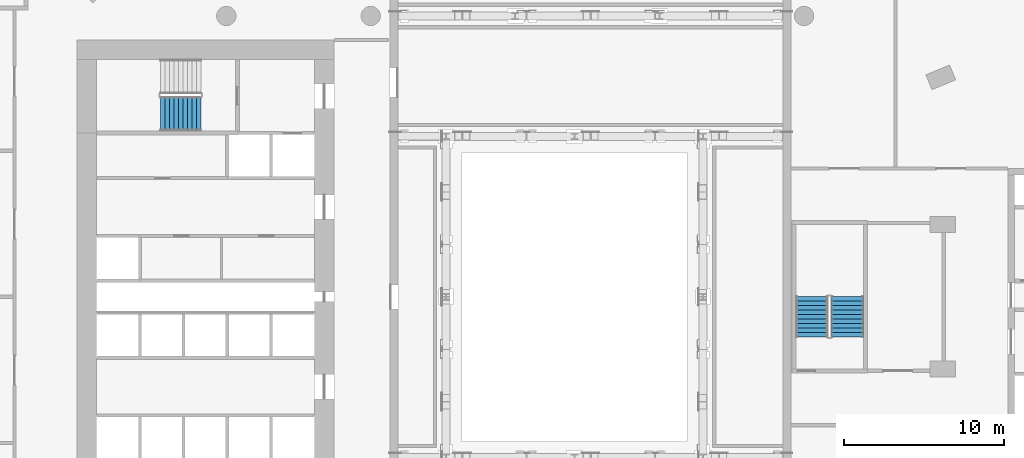
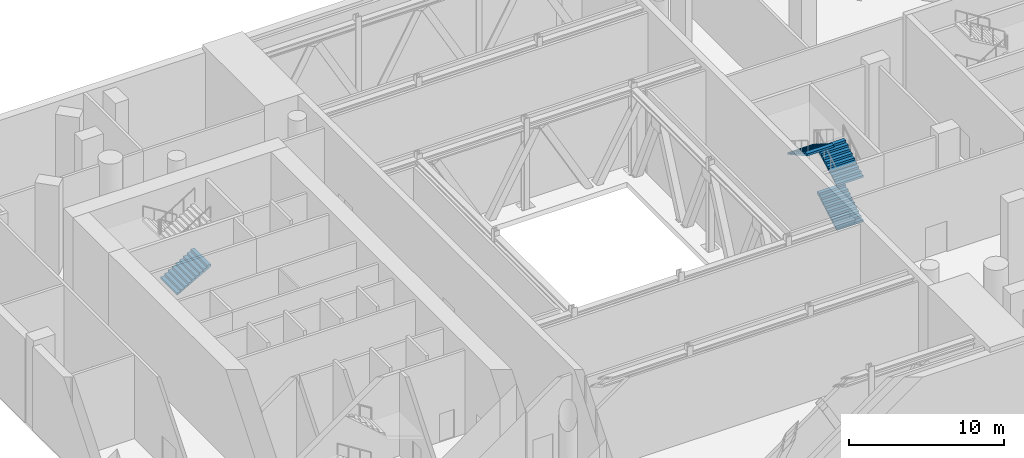
# One storey, part 13 of 21: 4 stair flights, 2 elements without a shape of their own.
"""IFC4 building model written with IfcOpenShell, lengths in metres."""

from ifc_helpers import new_model, si_unit, direction, frame, origin, place, context, subcontext, project, spatial, triangles, material, type_object, element, aggregate, save


model = new_model("IFC4")

# Units and contexts
model_context = context("Model", 3, precision=1e-05, world=origin(), true_north=direction((0.0, 1.0)))
body_context = subcontext(model_context, "Body", "Model", "MODEL_VIEW")
ifc_project = project(units=[si_unit("LENGTHUNIT", "METRE"), si_unit("AREAUNIT", "SQUARE_METRE"), si_unit("VOLUMEUNIT", "CUBIC_METRE"), si_unit("PLANEANGLEUNIT", "RADIAN"), si_unit("MASSUNIT", "GRAM", prefix="KILO")], contexts=[model_context])

# Site, building, storey
site_placement = place(None, origin())
site = spatial("IfcSite", under=ifc_project, at=site_placement, CompositionType="ELEMENT")
building_placement = place(site_placement, origin())
building = spatial("IfcBuilding", under=site, at=building_placement, Name="Cypress Arch Tower", CompositionType="ELEMENT")
storey_placement = place(building_placement, frame((0.0, 0.0, 29.0)))
storey = spatial("IfcBuildingStorey", under=building, at=storey_placement, Name="L03", CompositionType="ELEMENT", Elevation=29.0)

# Stair, stair flights
ifc_material_1 = material(Name="Concrete C40/50", Category="concrete")
stair_type_1 = type_object("IfcStairType", Name="Exit stair ES1750-200", PredefinedType="HALF_TURN_STAIR", material=ifc_material_1)
stair_1_placement = place(storey_placement, origin())
stair_1 = element("IfcStair", 1, at=stair_1_placement, inside=storey, type_object=stair_type_1, Name="L03 Exit stair C", PredefinedType="HALF_TURN_STAIR")
ifc_material_2 = material(Name="Concrete C40/50", Category="concrete")
stair_flight_type_1 = type_object("IfcStairFlightType", Name="Exit stair flight ES1750-200", PredefinedType="STRAIGHT", material=ifc_material_2)
stair_flight_1_placement = place(storey_placement, frame((18.0, -2.5, 0.0), z_axis=(0.0, 0.0, 1.0), x_axis=(0.0, 1.0, 0.0)))
stair_flight_1 = element("IfcStairFlight", 2, at=stair_flight_1_placement, type_object=stair_flight_type_1, Name="C flight 1", NumberOfRisers=10, NumberOfTreads=9, PredefinedType="STRAIGHT", RiserHeight=0.175, TreadLength=0.28, context=body_context, shape_type="Tessellation", body=[
    triangles([(0.0, -1.0, 0.0), (0.000244140625, -1.0, 0.034912109375), (0.00048828125, -1.0, 0.070068359375), (0.00048828125, -1.0, 0.10498046875), (0.000244140625, -1.0, 0.14013671875), (0.0, -1.0, 0.175048828125), (0.280029296875, -1.0, 0.175048828125), (0.280029296875, -1.0, 0.35009765625), (0.56005859375, -1.0, 0.35009765625), (0.56005859375, -1.0, 0.52490234375), (0.840087890625, -1.0, 0.52490234375), (0.840087890625, -1.0, 0.699951171875), (1.1201171875, -1.0, 0.699951171875), (1.1201171875, -1.0, 0.875), (1.39990234375, -1.0, 0.875), (1.39990234375, -1.0, 1.050048828125), (1.679931640625, -1.0, 1.050048828125), (1.679931640625, -1.0, 1.22509765625), (1.9599609375, -1.0, 1.22509765625), (1.9599609375, -1.0, 1.39990234375), (2.239990234375, -1.0, 1.39990234375), (2.239990234375, -1.0, 1.574951171875), (2.52001953125, -1.0, 1.574951171875), (2.519775390625, -1.0, 1.53955078125), (2.51953125, -1.0, 1.504150390625), (2.51953125, -1.0, 1.468994140625), (2.519775390625, -1.0, 1.43359375), (2.52001953125, -1.0, 1.398193359375), (2.52001953125, 1.0, 1.398193359375), (2.519775390625, 1.0, 1.43359375), (2.51953125, 1.0, 1.468994140625), (2.51953125, 1.0, 1.504150390625), (2.519775390625, 1.0, 1.53955078125), (2.52001953125, 1.0, 1.574951171875), (2.239990234375, 1.0, 1.574951171875), (2.239990234375, 1.0, 1.39990234375), (1.9599609375, 1.0, 1.39990234375), (1.9599609375, 1.0, 1.22509765625), (1.679931640625, 1.0, 1.22509765625), (1.679931640625, 1.0, 1.050048828125), (1.39990234375, 1.0, 1.050048828125), (1.39990234375, 1.0, 0.875), (1.1201171875, 1.0, 0.875), (1.1201171875, 1.0, 0.699951171875), (0.840087890625, 1.0, 0.699951171875), (0.840087890625, 1.0, 0.52490234375), (0.56005859375, 1.0, 0.52490234375), (0.56005859375, 1.0, 0.35009765625), (0.280029296875, 1.0, 0.35009765625), (0.280029296875, 1.0, 0.175048828125), (0.0, 1.0, 0.175048828125), (0.000244140625, 1.0, 0.14013671875), (0.00048828125, 1.0, 0.10498046875), (0.00048828125, 1.0, 0.070068359375), (0.000244140625, 1.0, 0.034912109375), (0.0, 1.0, 0.0), (2.519775390625, 0.0, 1.43359375), (2.52001953125, 0.0, 1.398193359375), (2.51953125, 0.0, 1.468994140625), (2.51953125, 0.0, 1.504150390625), (2.519775390625, 0.0, 1.53955078125), (2.52001953125, 0.0, 1.574951171875), (2.239990234375, 0.0, 1.574951171875), (2.239990234375, 0.0, 1.39990234375), (1.9599609375, 0.0, 1.39990234375), (1.9599609375, 0.0, 1.22509765625), (1.679931640625, 0.0, 1.22509765625), (1.679931640625, 0.0, 1.050048828125), (1.39990234375, 0.0, 1.050048828125), (1.39990234375, 0.0, 0.875), (1.1201171875, 0.0, 0.875), (1.1201171875, 0.0, 0.699951171875), (0.840087890625, 0.0, 0.699951171875), (0.840087890625, 0.0, 0.52490234375), (0.56005859375, 0.0, 0.52490234375), (0.56005859375, 0.0, 0.35009765625), (0.280029296875, 0.0, 0.35009765625), (0.280029296875, 0.0, 0.175048828125), (0.0, 0.0, 0.175048828125), (0.000244140625, 0.0, 0.14013671875), (0.00048828125, 0.0, 0.10498046875), (0.00048828125, 0.0, 0.070068359375), (0.000244140625, 0.0, 0.034912109375), (0.0, 0.0, 0.0)], [[28, 27, 22], [27, 26, 22], [26, 25, 22], [25, 24, 22], [24, 23, 22], [15, 14, 13], [19, 18, 17], [17, 16, 15], [13, 12, 11], [9, 8, 7], [6, 5, 7], [5, 4, 7], [4, 3, 7], [3, 2, 7], [2, 1, 7], [21, 20, 19], [11, 10, 9], [28, 22, 21], [28, 21, 19], [28, 19, 17], [28, 17, 15], [28, 15, 13], [28, 13, 11], [1, 28, 11], [11, 9, 7], [11, 7, 1], [29, 35, 30], [30, 35, 31], [31, 35, 32], [32, 35, 33], [33, 35, 34], [42, 44, 43], [38, 40, 39], [40, 42, 41], [44, 46, 45], [48, 50, 49], [51, 50, 52], [52, 50, 53], [53, 50, 54], [54, 50, 55], [55, 50, 56], [36, 38, 37], [46, 48, 47], [29, 36, 35], [29, 38, 36], [29, 40, 38], [29, 42, 40], [29, 44, 42], [29, 46, 44], [56, 46, 29], [46, 50, 48], [46, 56, 50], [58, 57, 27], [58, 27, 28], [29, 30, 57], [29, 57, 58], [57, 59, 26], [57, 26, 27], [30, 31, 59], [30, 59, 57], [59, 60, 25], [59, 25, 26], [31, 32, 60], [31, 60, 59], [60, 61, 24], [60, 24, 25], [32, 33, 61], [32, 61, 60], [61, 62, 23], [61, 23, 24], [33, 34, 62], [33, 62, 61], [62, 63, 22], [62, 22, 23], [34, 35, 63], [34, 63, 62], [63, 64, 21], [63, 21, 22], [35, 36, 64], [35, 64, 63], [64, 65, 20], [64, 20, 21], [36, 37, 65], [36, 65, 64], [65, 66, 19], [65, 19, 20], [37, 38, 66], [37, 66, 65], [66, 67, 18], [66, 18, 19], [38, 39, 67], [38, 67, 66], [67, 68, 17], [67, 17, 18], [39, 40, 68], [39, 68, 67], [68, 69, 16], [68, 16, 17], [40, 41, 69], [40, 69, 68], [69, 70, 15], [69, 15, 16], [41, 42, 70], [41, 70, 69], [70, 71, 14], [70, 14, 15], [42, 43, 71], [42, 71, 70], [71, 72, 13], [71, 13, 14], [43, 44, 72], [43, 72, 71], [72, 73, 12], [72, 12, 13], [44, 45, 73], [44, 73, 72], [73, 74, 11], [73, 11, 12], [45, 46, 74], [45, 74, 73], [74, 75, 10], [74, 10, 11], [46, 47, 75], [46, 75, 74], [75, 76, 9], [75, 9, 10], [47, 48, 76], [47, 76, 75], [76, 77, 8], [76, 8, 9], [48, 49, 77], [48, 77, 76], [77, 78, 7], [77, 7, 8], [49, 50, 78], [49, 78, 77], [78, 79, 6], [78, 6, 7], [50, 51, 79], [50, 79, 78], [79, 80, 5], [79, 5, 6], [51, 52, 80], [51, 80, 79], [80, 81, 4], [80, 4, 5], [52, 53, 81], [52, 81, 80], [81, 82, 3], [81, 3, 4], [53, 54, 82], [53, 82, 81], [82, 83, 2], [82, 2, 3], [54, 55, 83], [54, 83, 82], [83, 84, 1], [83, 1, 2], [55, 56, 84], [55, 84, 83], [84, 58, 28], [84, 28, 1], [56, 29, 58], [56, 58, 84]], closed=True),
])
stair_flight_2_placement = place(storey_placement, frame((18.0, -2.5, 3.5), z_axis=(0.0, 0.0, 1.0), x_axis=(0.0, 1.0, 0.0)))
stair_flight_2 = element("IfcStairFlight", 3, at=stair_flight_2_placement, type_object=stair_flight_type_1, Name="C flight 3", NumberOfRisers=10, NumberOfTreads=9, PredefinedType="STRAIGHT", RiserHeight=0.175, TreadLength=0.28, context=body_context, shape_type="Tessellation", body=[
    triangles([(0.0, -1.0, 0.0), (0.000244140625, -1.0, 0.034912109375), (0.00048828125, -1.0, 0.070068359375), (0.00048828125, -1.0, 0.10498046875), (0.000244140625, -1.0, 0.14013671875), (0.0, -1.0, 0.175048828125), (0.280029296875, -1.0, 0.175048828125), (0.280029296875, -1.0, 0.35009765625), (0.56005859375, -1.0, 0.35009765625), (0.56005859375, -1.0, 0.52490234375), (0.840087890625, -1.0, 0.52490234375), (0.840087890625, -1.0, 0.699951171875), (1.1201171875, -1.0, 0.699951171875), (1.1201171875, -1.0, 0.875), (1.39990234375, -1.0, 0.875), (1.39990234375, -1.0, 1.050048828125), (1.679931640625, -1.0, 1.050048828125), (1.679931640625, -1.0, 1.22509765625), (1.9599609375, -1.0, 1.22509765625), (1.9599609375, -1.0, 1.39990234375), (2.239990234375, -1.0, 1.39990234375), (2.239990234375, -1.0, 1.574951171875), (2.52001953125, -1.0, 1.574951171875), (2.519775390625, -1.0, 1.53955078125), (2.51953125, -1.0, 1.504150390625), (2.51953125, -1.0, 1.468994140625), (2.519775390625, -1.0, 1.43359375), (2.52001953125, -1.0, 1.398193359375), (2.52001953125, 1.0, 1.398193359375), (2.519775390625, 1.0, 1.43359375), (2.51953125, 1.0, 1.468994140625), (2.51953125, 1.0, 1.504150390625), (2.519775390625, 1.0, 1.53955078125), (2.52001953125, 1.0, 1.574951171875), (2.239990234375, 1.0, 1.574951171875), (2.239990234375, 1.0, 1.39990234375), (1.9599609375, 1.0, 1.39990234375), (1.9599609375, 1.0, 1.22509765625), (1.679931640625, 1.0, 1.22509765625), (1.679931640625, 1.0, 1.050048828125), (1.39990234375, 1.0, 1.050048828125), (1.39990234375, 1.0, 0.875), (1.1201171875, 1.0, 0.875), (1.1201171875, 1.0, 0.699951171875), (0.840087890625, 1.0, 0.699951171875), (0.840087890625, 1.0, 0.52490234375), (0.56005859375, 1.0, 0.52490234375), (0.56005859375, 1.0, 0.35009765625), (0.280029296875, 1.0, 0.35009765625), (0.280029296875, 1.0, 0.175048828125), (0.0, 1.0, 0.175048828125), (0.000244140625, 1.0, 0.14013671875), (0.00048828125, 1.0, 0.10498046875), (0.00048828125, 1.0, 0.070068359375), (0.000244140625, 1.0, 0.034912109375), (0.0, 1.0, 0.0), (2.519775390625, 0.0, 1.43359375), (2.52001953125, 0.0, 1.398193359375), (2.51953125, 0.0, 1.468994140625), (2.51953125, 0.0, 1.504150390625), (2.519775390625, 0.0, 1.53955078125), (2.52001953125, 0.0, 1.574951171875), (2.239990234375, 0.0, 1.574951171875), (2.239990234375, 0.0, 1.39990234375), (1.9599609375, 0.0, 1.39990234375), (1.9599609375, 0.0, 1.22509765625), (1.679931640625, 0.0, 1.22509765625), (1.679931640625, 0.0, 1.050048828125), (1.39990234375, 0.0, 1.050048828125), (1.39990234375, 0.0, 0.875), (1.1201171875, 0.0, 0.875), (1.1201171875, 0.0, 0.699951171875), (0.840087890625, 0.0, 0.699951171875), (0.840087890625, 0.0, 0.52490234375), (0.56005859375, 0.0, 0.52490234375), (0.56005859375, 0.0, 0.35009765625), (0.280029296875, 0.0, 0.35009765625), (0.280029296875, 0.0, 0.175048828125), (0.0, 0.0, 0.175048828125), (0.000244140625, 0.0, 0.14013671875), (0.00048828125, 0.0, 0.10498046875), (0.00048828125, 0.0, 0.070068359375), (0.000244140625, 0.0, 0.034912109375), (0.0, 0.0, 0.0)], [[28, 27, 22], [27, 26, 22], [26, 25, 22], [25, 24, 22], [24, 23, 22], [15, 14, 13], [19, 18, 17], [17, 16, 15], [13, 12, 11], [9, 8, 7], [6, 5, 7], [5, 4, 7], [4, 3, 7], [3, 2, 7], [2, 1, 7], [21, 20, 19], [11, 10, 9], [28, 22, 21], [28, 21, 19], [28, 19, 17], [28, 17, 15], [28, 15, 13], [28, 13, 11], [1, 28, 11], [11, 9, 7], [11, 7, 1], [29, 35, 30], [30, 35, 31], [31, 35, 32], [32, 35, 33], [33, 35, 34], [42, 44, 43], [38, 40, 39], [40, 42, 41], [44, 46, 45], [48, 50, 49], [51, 50, 52], [52, 50, 53], [53, 50, 54], [54, 50, 55], [55, 50, 56], [36, 38, 37], [46, 48, 47], [29, 36, 35], [29, 38, 36], [29, 40, 38], [29, 42, 40], [29, 44, 42], [29, 46, 44], [56, 46, 29], [46, 50, 48], [46, 56, 50], [58, 57, 27], [58, 27, 28], [29, 30, 57], [29, 57, 58], [57, 59, 26], [57, 26, 27], [30, 31, 59], [30, 59, 57], [59, 60, 25], [59, 25, 26], [31, 32, 60], [31, 60, 59], [60, 61, 24], [60, 24, 25], [32, 33, 61], [32, 61, 60], [61, 62, 23], [61, 23, 24], [33, 34, 62], [33, 62, 61], [62, 63, 22], [62, 22, 23], [34, 35, 63], [34, 63, 62], [63, 64, 21], [63, 21, 22], [35, 36, 64], [35, 64, 63], [64, 65, 20], [64, 20, 21], [36, 37, 65], [36, 65, 64], [65, 66, 19], [65, 19, 20], [37, 38, 66], [37, 66, 65], [66, 67, 18], [66, 18, 19], [38, 39, 67], [38, 67, 66], [67, 68, 17], [67, 17, 18], [39, 40, 68], [39, 68, 67], [68, 69, 16], [68, 16, 17], [40, 41, 69], [40, 69, 68], [69, 70, 15], [69, 15, 16], [41, 42, 70], [41, 70, 69], [70, 71, 14], [70, 14, 15], [42, 43, 71], [42, 71, 70], [71, 72, 13], [71, 13, 14], [43, 44, 72], [43, 72, 71], [72, 73, 12], [72, 12, 13], [44, 45, 73], [44, 73, 72], [73, 74, 11], [73, 11, 12], [45, 46, 74], [45, 74, 73], [74, 75, 10], [74, 10, 11], [46, 47, 75], [46, 75, 74], [75, 76, 9], [75, 9, 10], [47, 48, 76], [47, 76, 75], [76, 77, 8], [76, 8, 9], [48, 49, 77], [48, 77, 76], [77, 78, 7], [77, 7, 8], [49, 50, 78], [49, 78, 77], [78, 79, 6], [78, 6, 7], [50, 51, 79], [50, 79, 78], [79, 80, 5], [79, 5, 6], [51, 52, 80], [51, 80, 79], [80, 81, 4], [80, 4, 5], [52, 53, 81], [52, 81, 80], [81, 82, 3], [81, 3, 4], [53, 54, 82], [53, 82, 81], [82, 83, 2], [82, 2, 3], [54, 55, 83], [54, 83, 82], [83, 84, 1], [83, 1, 2], [55, 56, 84], [55, 84, 83], [84, 58, 28], [84, 28, 1], [56, 29, 58], [56, 58, 84]], closed=True),
])
stair_flight_3_placement = place(storey_placement, frame((15.800048828125, 0.02001953125, 5.25), z_axis=(0.0, 0.0, 1.0), x_axis=(0.0, -1.0, 0.0)))
stair_flight_3 = element("IfcStairFlight", 4, at=stair_flight_3_placement, type_object=stair_flight_type_1, Name="C flight 4", NumberOfRisers=10, NumberOfTreads=9, PredefinedType="STRAIGHT", RiserHeight=0.175, TreadLength=0.28, context=body_context, shape_type="Tessellation", body=[
    triangles([(0.0, -1.0, 0.0), (0.000244140625, -1.0, 0.034912109375), (0.00048828125, -1.0, 0.070068359375), (0.00048828125, -1.0, 0.10498046875), (0.000244140625, -1.0, 0.14013671875), (0.0, -1.0, 0.175048828125), (0.280029296875, -1.0, 0.175048828125), (0.280029296875, -1.0, 0.35009765625), (0.56005859375, -1.0, 0.35009765625), (0.56005859375, -1.0, 0.52490234375), (0.840087890625, -1.0, 0.52490234375), (0.840087890625, -1.0, 0.699951171875), (1.1201171875, -1.0, 0.699951171875), (1.1201171875, -1.0, 0.875), (1.39990234375, -1.0, 0.875), (1.39990234375, -1.0, 1.050048828125), (1.679931640625, -1.0, 1.050048828125), (1.679931640625, -1.0, 1.22509765625), (1.9599609375, -1.0, 1.22509765625), (1.9599609375, -1.0, 1.39990234375), (2.239990234375, -1.0, 1.39990234375), (2.239990234375, -1.0, 1.574951171875), (2.52001953125, -1.0, 1.574951171875), (2.519775390625, -1.0, 1.53955078125), (2.51953125, -1.0, 1.504150390625), (2.51953125, -1.0, 1.468994140625), (2.519775390625, -1.0, 1.43359375), (2.52001953125, -1.0, 1.398193359375), (2.52001953125, 1.0, 1.398193359375), (2.519775390625, 1.0, 1.43359375), (2.51953125, 1.0, 1.468994140625), (2.51953125, 1.0, 1.504150390625), (2.519775390625, 1.0, 1.53955078125), (2.52001953125, 1.0, 1.574951171875), (2.239990234375, 1.0, 1.574951171875), (2.239990234375, 1.0, 1.39990234375), (1.9599609375, 1.0, 1.39990234375), (1.9599609375, 1.0, 1.22509765625), (1.679931640625, 1.0, 1.22509765625), (1.679931640625, 1.0, 1.050048828125), (1.39990234375, 1.0, 1.050048828125), (1.39990234375, 1.0, 0.875), (1.1201171875, 1.0, 0.875), (1.1201171875, 1.0, 0.699951171875), (0.840087890625, 1.0, 0.699951171875), (0.840087890625, 1.0, 0.52490234375), (0.56005859375, 1.0, 0.52490234375), (0.56005859375, 1.0, 0.35009765625), (0.280029296875, 1.0, 0.35009765625), (0.280029296875, 1.0, 0.175048828125), (0.0, 1.0, 0.175048828125), (0.000244140625, 1.0, 0.14013671875), (0.00048828125, 1.0, 0.10498046875), (0.00048828125, 1.0, 0.070068359375), (0.000244140625, 1.0, 0.034912109375), (0.0, 1.0, 0.0), (2.519775390625, 0.0, 1.43359375), (2.52001953125, 0.0, 1.398193359375), (2.51953125, 0.0, 1.468994140625), (2.51953125, 0.0, 1.504150390625), (2.519775390625, 0.0, 1.53955078125), (2.52001953125, 0.0, 1.574951171875), (2.239990234375, 0.0, 1.574951171875), (2.239990234375, 0.0, 1.39990234375), (1.9599609375, 0.0, 1.39990234375), (1.9599609375, 0.0, 1.22509765625), (1.679931640625, 0.0, 1.22509765625), (1.679931640625, 0.0, 1.050048828125), (1.39990234375, 0.0, 1.050048828125), (1.39990234375, 0.0, 0.875), (1.1201171875, 0.0, 0.875), (1.1201171875, 0.0, 0.699951171875), (0.840087890625, 0.0, 0.699951171875), (0.840087890625, 0.0, 0.52490234375), (0.56005859375, 0.0, 0.52490234375), (0.56005859375, 0.0, 0.35009765625), (0.280029296875, 0.0, 0.35009765625), (0.280029296875, 0.0, 0.175048828125), (0.0, 0.0, 0.175048828125), (0.000244140625, 0.0, 0.14013671875), (0.00048828125, 0.0, 0.10498046875), (0.00048828125, 0.0, 0.070068359375), (0.000244140625, 0.0, 0.034912109375), (0.0, 0.0, 0.0)], [[28, 27, 22], [27, 26, 22], [26, 25, 22], [25, 24, 22], [24, 23, 22], [15, 14, 13], [19, 18, 17], [17, 16, 15], [13, 12, 11], [9, 8, 7], [6, 5, 7], [5, 4, 7], [4, 3, 7], [3, 2, 7], [2, 1, 7], [21, 20, 19], [11, 10, 9], [28, 22, 21], [28, 21, 19], [28, 19, 17], [28, 17, 15], [28, 15, 13], [28, 13, 11], [1, 28, 11], [11, 9, 7], [11, 7, 1], [29, 35, 30], [30, 35, 31], [31, 35, 32], [32, 35, 33], [33, 35, 34], [42, 44, 43], [38, 40, 39], [40, 42, 41], [44, 46, 45], [48, 50, 49], [51, 50, 52], [52, 50, 53], [53, 50, 54], [54, 50, 55], [55, 50, 56], [36, 38, 37], [46, 48, 47], [29, 36, 35], [29, 38, 36], [29, 40, 38], [29, 42, 40], [29, 44, 42], [29, 46, 44], [56, 46, 29], [46, 50, 48], [46, 56, 50], [58, 57, 27], [58, 27, 28], [29, 30, 57], [29, 57, 58], [57, 59, 26], [57, 26, 27], [30, 31, 59], [30, 59, 57], [59, 60, 25], [59, 25, 26], [31, 32, 60], [31, 60, 59], [60, 61, 24], [60, 24, 25], [32, 33, 61], [32, 61, 60], [61, 62, 23], [61, 23, 24], [33, 34, 62], [33, 62, 61], [62, 63, 22], [62, 22, 23], [34, 35, 63], [34, 63, 62], [63, 64, 21], [63, 21, 22], [35, 36, 64], [35, 64, 63], [64, 65, 20], [64, 20, 21], [36, 37, 65], [36, 65, 64], [65, 66, 19], [65, 19, 20], [37, 38, 66], [37, 66, 65], [66, 67, 18], [66, 18, 19], [38, 39, 67], [38, 67, 66], [67, 68, 17], [67, 17, 18], [39, 40, 68], [39, 68, 67], [68, 69, 16], [68, 16, 17], [40, 41, 69], [40, 69, 68], [69, 70, 15], [69, 15, 16], [41, 42, 70], [41, 70, 69], [70, 71, 14], [70, 14, 15], [42, 43, 71], [42, 71, 70], [71, 72, 13], [71, 13, 14], [43, 44, 72], [43, 72, 71], [72, 73, 12], [72, 12, 13], [44, 45, 73], [44, 73, 72], [73, 74, 11], [73, 11, 12], [45, 46, 74], [45, 74, 73], [74, 75, 10], [74, 10, 11], [46, 47, 75], [46, 75, 74], [75, 76, 9], [75, 9, 10], [47, 48, 76], [47, 76, 75], [76, 77, 8], [76, 8, 9], [48, 49, 77], [48, 77, 76], [77, 78, 7], [77, 7, 8], [49, 50, 78], [49, 78, 77], [78, 79, 6], [78, 6, 7], [50, 51, 79], [50, 79, 78], [79, 80, 5], [79, 5, 6], [51, 52, 80], [51, 80, 79], [80, 81, 4], [80, 4, 5], [52, 53, 81], [52, 81, 80], [81, 82, 3], [81, 3, 4], [53, 54, 82], [53, 82, 81], [82, 83, 2], [82, 2, 3], [54, 55, 83], [54, 83, 82], [83, 84, 1], [83, 1, 2], [55, 56, 84], [55, 84, 83], [84, 58, 28], [84, 28, 1], [56, 29, 58], [56, 58, 84]], closed=True),
])
aggregate(stair_1, [stair_flight_1, stair_flight_2, stair_flight_3])

# Stair, stair flight
ifc_material_3 = material(Name="Concrete C40/50", Category="concrete")
stair_type_2 = type_object("IfcStairType", Name="Exit stair ES1750-215", PredefinedType="HALF_TURN_STAIR", material=ifc_material_3)
stair_2_placement = place(storey_placement, origin())
stair_2 = element("IfcStair", 5, at=stair_2_placement, inside=storey, type_object=stair_type_2, Name="L03 Exit stair B", PredefinedType="HALF_TURN_STAIR")
ifc_material_4 = material(Name="Concrete C40/50", Category="concrete")
stair_flight_type_2 = type_object("IfcStairFlightType", Name="Exit stair flight ES1750-215", PredefinedType="STRAIGHT", material=ifc_material_4)
stair_flight_4_placement = place(storey_placement, frame((-24.794921875, 11.39990234375, 1.75), z_axis=(0.0, 0.0, 1.0), x_axis=(1.0, 0.0, 0.0)))
stair_flight_4 = element("IfcStairFlight", 6, at=stair_flight_4_placement, type_object=stair_flight_type_2, Name="B flight 2", NumberOfRisers=10, NumberOfTreads=9, PredefinedType="STRAIGHT", RiserHeight=0.175, TreadLength=0.28, context=body_context, shape_type="Tessellation", body=[
    triangles([(0.0, -1.074951171875, 0.0), (0.000244140625, -1.074951171875, 0.01953125), (0.000244140625, -1.074951171875, 0.038818359375), (0.00048828125, -1.074951171875, 0.058349609375), (0.00048828125, -1.074951171875, 0.077880859375), (0.00048828125, -1.074951171875, 0.09716796875), (0.00048828125, -1.074951171875, 0.11669921875), (0.000244140625, -1.074951171875, 0.13623046875), (0.000244140625, -1.074951171875, 0.155517578125), (0.0, -1.074951171875, 0.175048828125), (0.280029296875, -1.074951171875, 0.175048828125), (0.280029296875, -1.074951171875, 0.35009765625), (0.56005859375, -1.074951171875, 0.35009765625), (0.56005859375, -1.074951171875, 0.52490234375), (0.840087890625, -1.074951171875, 0.52490234375), (0.840087890625, -1.074951171875, 0.699951171875), (1.1201171875, -1.074951171875, 0.699951171875), (1.1201171875, -1.074951171875, 0.875), (1.39990234375, -1.074951171875, 0.875), (1.39990234375, -1.074951171875, 1.050048828125), (1.679931640625, -1.074951171875, 1.050048828125), (1.679931640625, -1.074951171875, 1.22509765625), (1.9599609375, -1.074951171875, 1.22509765625), (1.9599609375, -1.074951171875, 1.39990234375), (2.239990234375, -1.074951171875, 1.39990234375), (2.239990234375, -1.074951171875, 1.574951171875), (2.52001953125, -1.074951171875, 1.574951171875), (2.519775390625, -1.074951171875, 1.555419921875), (2.519775390625, -1.074951171875, 1.53564453125), (2.51953125, -1.074951171875, 1.51611328125), (2.51953125, -1.074951171875, 1.496337890625), (2.51953125, -1.074951171875, 1.476806640625), (2.51953125, -1.074951171875, 1.45703125), (2.519775390625, -1.074951171875, 1.4375), (2.519775390625, -1.074951171875, 1.417724609375), (2.52001953125, -1.074951171875, 1.398193359375), (2.52001953125, 1.074951171875, 1.398193359375), (2.519775390625, 1.074951171875, 1.417724609375), (2.519775390625, 1.074951171875, 1.4375), (2.51953125, 1.074951171875, 1.45703125), (2.51953125, 1.074951171875, 1.476806640625), (2.51953125, 1.074951171875, 1.496337890625), (2.51953125, 1.074951171875, 1.51611328125), (2.519775390625, 1.074951171875, 1.53564453125), (2.519775390625, 1.074951171875, 1.555419921875), (2.52001953125, 1.074951171875, 1.574951171875), (2.239990234375, 1.074951171875, 1.574951171875), (2.239990234375, 1.074951171875, 1.39990234375), (1.9599609375, 1.074951171875, 1.39990234375), (1.9599609375, 1.074951171875, 1.22509765625), (1.679931640625, 1.074951171875, 1.22509765625), (1.679931640625, 1.074951171875, 1.050048828125), (1.39990234375, 1.074951171875, 1.050048828125), (1.39990234375, 1.074951171875, 0.875), (1.1201171875, 1.074951171875, 0.875), (1.1201171875, 1.074951171875, 0.699951171875), (0.840087890625, 1.074951171875, 0.699951171875), (0.840087890625, 1.074951171875, 0.52490234375), (0.56005859375, 1.074951171875, 0.52490234375), (0.56005859375, 1.074951171875, 0.35009765625), (0.280029296875, 1.074951171875, 0.35009765625), (0.280029296875, 1.074951171875, 0.175048828125), (0.0, 1.074951171875, 0.175048828125), (0.000244140625, 1.074951171875, 0.155517578125), (0.000244140625, 1.074951171875, 0.13623046875), (0.00048828125, 1.074951171875, 0.11669921875), (0.00048828125, 1.074951171875, 0.09716796875), (0.00048828125, 1.074951171875, 0.077880859375), (0.00048828125, 1.074951171875, 0.058349609375), (0.000244140625, 1.074951171875, 0.038818359375), (0.000244140625, 1.074951171875, 0.01953125), (0.0, 1.074951171875, 0.0), (2.519775390625, 0.0, 1.417724609375), (2.52001953125, 0.0, 1.398193359375), (2.519775390625, 0.0, 1.4375), (2.51953125, 0.0, 1.45703125), (2.51953125, 0.0, 1.476806640625), (2.51953125, 0.0, 1.496337890625), (2.51953125, 0.0, 1.51611328125), (2.519775390625, 0.0, 1.53564453125), (2.519775390625, 0.0, 1.555419921875), (2.52001953125, 0.0, 1.574951171875), (2.239990234375, 0.0, 1.574951171875), (2.239990234375, 0.0, 1.39990234375), (1.9599609375, 0.0, 1.39990234375), (1.9599609375, 0.0, 1.22509765625), (1.679931640625, 0.0, 1.22509765625), (1.679931640625, 0.0, 1.050048828125), (1.39990234375, 0.0, 1.050048828125), (1.39990234375, 0.0, 0.875), (1.1201171875, 0.0, 0.875), (1.1201171875, 0.0, 0.699951171875), (0.840087890625, 0.0, 0.699951171875), (0.840087890625, 0.0, 0.52490234375), (0.56005859375, 0.0, 0.52490234375), (0.56005859375, 0.0, 0.35009765625), (0.280029296875, 0.0, 0.35009765625), (0.280029296875, 0.0, 0.175048828125), (0.0, 0.0, 0.175048828125), (0.000244140625, 0.0, 0.155517578125), (0.000244140625, 0.0, 0.13623046875), (0.00048828125, 0.0, 0.11669921875), (0.00048828125, 0.0, 0.09716796875), (0.00048828125, 0.0, 0.077880859375), (0.00048828125, 0.0, 0.058349609375), (0.000244140625, 0.0, 0.038818359375), (0.000244140625, 0.0, 0.01953125), (0.0, 0.0, 0.0)], [[36, 35, 26], [35, 34, 26], [34, 33, 26], [33, 32, 26], [32, 31, 26], [31, 30, 26], [30, 29, 26], [29, 28, 26], [28, 27, 26], [19, 18, 17], [23, 22, 21], [21, 20, 19], [17, 16, 15], [13, 12, 11], [10, 9, 11], [9, 8, 11], [8, 7, 11], [7, 6, 11], [6, 5, 11], [5, 4, 11], [4, 3, 11], [3, 2, 11], [2, 1, 11], [25, 24, 23], [15, 14, 13], [36, 26, 25], [36, 25, 23], [36, 23, 21], [36, 21, 19], [36, 19, 17], [36, 17, 15], [1, 36, 15], [15, 13, 11], [15, 11, 1], [37, 47, 38], [38, 47, 39], [39, 47, 40], [40, 47, 41], [41, 47, 42], [42, 47, 43], [43, 47, 44], [44, 47, 45], [45, 47, 46], [54, 56, 55], [50, 52, 51], [52, 54, 53], [56, 58, 57], [60, 62, 61], [63, 62, 64], [64, 62, 65], [65, 62, 66], [66, 62, 67], [67, 62, 68], [68, 62, 69], [69, 62, 70], [70, 62, 71], [71, 62, 72], [48, 50, 49], [58, 60, 59], [37, 48, 47], [37, 50, 48], [37, 52, 50], [37, 54, 52], [37, 56, 54], [37, 58, 56], [72, 58, 37], [58, 62, 60], [58, 72, 62], [74, 73, 35], [74, 35, 36], [37, 38, 73], [37, 73, 74], [73, 75, 34], [73, 34, 35], [38, 39, 75], [38, 75, 73], [75, 76, 33], [75, 33, 34], [39, 40, 76], [39, 76, 75], [76, 77, 32], [76, 32, 33], [40, 41, 77], [40, 77, 76], [77, 78, 31], [77, 31, 32], [41, 42, 78], [41, 78, 77], [78, 79, 30], [78, 30, 31], [42, 43, 79], [42, 79, 78], [79, 80, 29], [79, 29, 30], [43, 44, 80], [43, 80, 79], [80, 81, 28], [80, 28, 29], [44, 45, 81], [44, 81, 80], [81, 82, 27], [81, 27, 28], [45, 46, 82], [45, 82, 81], [82, 83, 26], [82, 26, 27], [46, 47, 83], [46, 83, 82], [83, 84, 25], [83, 25, 26], [47, 48, 84], [47, 84, 83], [84, 85, 24], [84, 24, 25], [48, 49, 85], [48, 85, 84], [85, 86, 23], [85, 23, 24], [49, 50, 86], [49, 86, 85], [86, 87, 22], [86, 22, 23], [50, 51, 87], [50, 87, 86], [87, 88, 21], [87, 21, 22], [51, 52, 88], [51, 88, 87], [88, 89, 20], [88, 20, 21], [52, 53, 89], [52, 89, 88], [89, 90, 19], [89, 19, 20], [53, 54, 90], [53, 90, 89], [90, 91, 18], [90, 18, 19], [54, 55, 91], [54, 91, 90], [91, 92, 17], [91, 17, 18], [55, 56, 92], [55, 92, 91], [92, 93, 16], [92, 16, 17], [56, 57, 93], [56, 93, 92], [93, 94, 15], [93, 15, 16], [57, 58, 94], [57, 94, 93], [94, 95, 14], [94, 14, 15], [58, 59, 95], [58, 95, 94], [95, 96, 13], [95, 13, 14], [59, 60, 96], [59, 96, 95], [96, 97, 12], [96, 12, 13], [60, 61, 97], [60, 97, 96], [97, 98, 11], [97, 11, 12], [61, 62, 98], [61, 98, 97], [98, 99, 10], [98, 10, 11], [62, 63, 99], [62, 99, 98], [99, 100, 9], [99, 9, 10], [63, 64, 100], [63, 100, 99], [100, 101, 8], [100, 8, 9], [64, 65, 101], [64, 101, 100], [101, 102, 7], [101, 7, 8], [65, 66, 102], [65, 102, 101], [102, 103, 6], [102, 6, 7], [66, 67, 103], [66, 103, 102], [103, 104, 5], [103, 5, 6], [67, 68, 104], [67, 104, 103], [104, 105, 4], [104, 4, 5], [68, 69, 105], [68, 105, 104], [105, 106, 3], [105, 3, 4], [69, 70, 106], [69, 106, 105], [106, 107, 2], [106, 2, 3], [70, 71, 107], [70, 107, 106], [107, 108, 1], [107, 1, 2], [71, 72, 108], [71, 108, 107], [108, 74, 36], [108, 36, 1], [72, 37, 74], [72, 74, 108]], closed=True),
])
aggregate(stair_2, [stair_flight_4])

save(model, "model.ifc")
